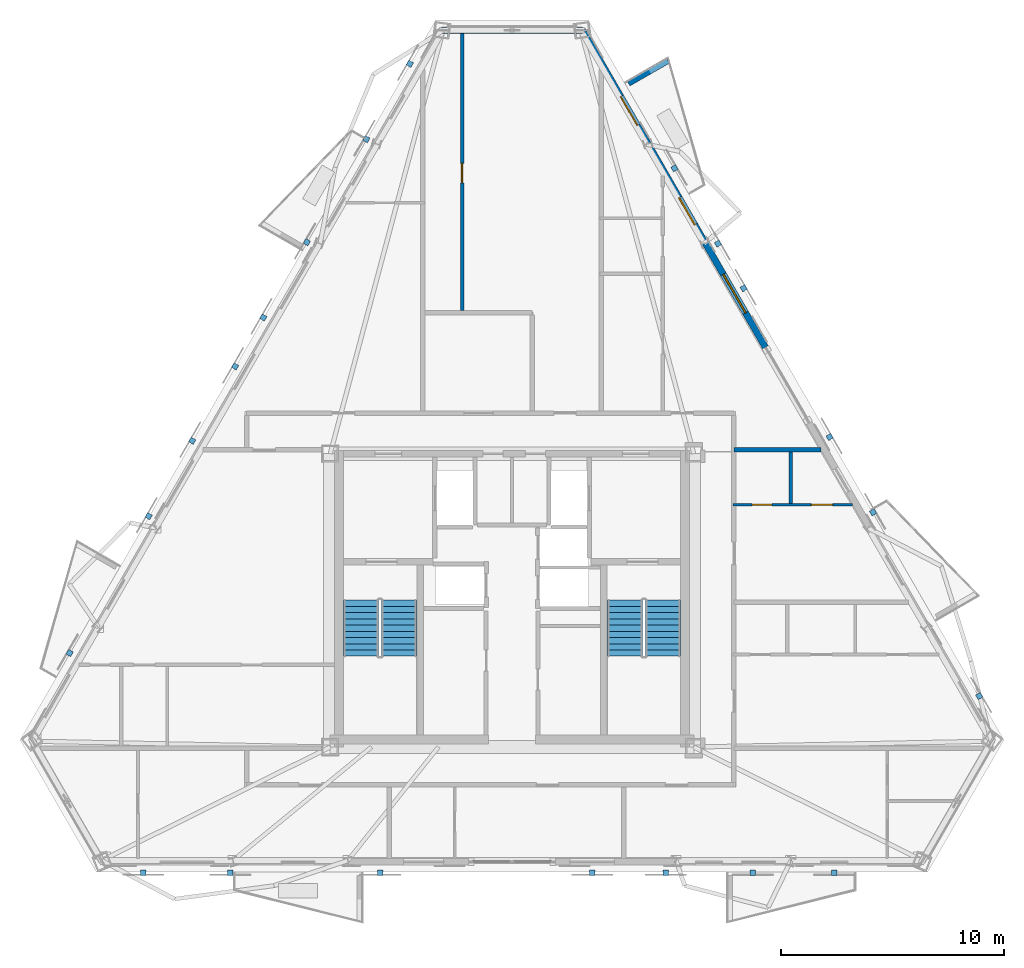
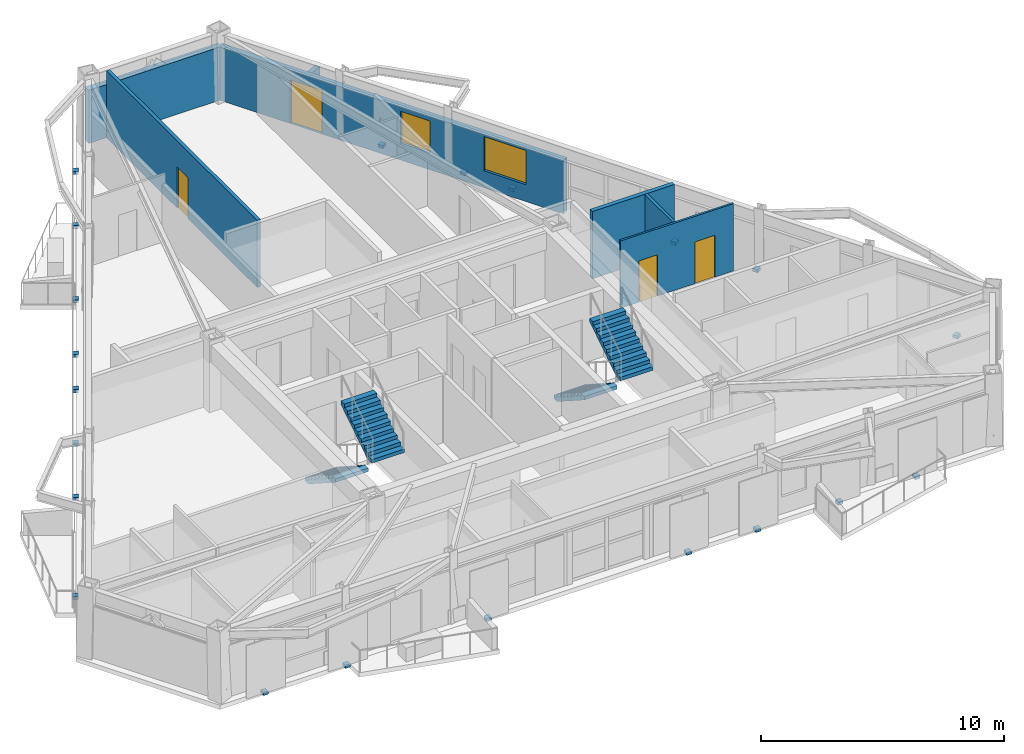
# One storey, part 9 of 12: 21 discrete accessories, 7 walls, 4 doors, 4 stair flights, 2 windows, 6 openings, 2 elements without a shape of their own.
"""IFC4 building model written with IfcOpenShell, lengths in metres."""

import ifcopenshell
import ifcopenshell.guid

model = None  # the IFC model being written
_history = None  # IfcOwnerHistory: only IFC2X3 demands one
_inside = {}  # id of a spatial element -> (the spatial element, [elements in it])
_under = {}  # id of a project, library or spatial element -> (it, [spatial elements below it])
_declared = {}  # id of a project -> (the project, [libraries it declares])
_typed = {}  # id of a type object -> (the type object, [elements of that type])
_made_of = {}  # id of a material, layer set ... -> (it, [elements and type objects made of it])


def new_model(schema):
    """Start an empty IFC model of exactly this schema.

    Asked for "IFC4X3", IfcOpenShell would pick the latest addendum, in which some entities
    have other attributes; the version numbers below select the first issue.
    IFC2X3 requires an IfcOwnerHistory on every rooted entity: one is made here for all.
    """
    global model, _history
    if schema == "IFC4X3":
        model = ifcopenshell.file(schema_version=(4, 3, 0, 0))
    else:
        model = ifcopenshell.file(schema=schema)
    _inside.clear()
    _under.clear()
    _declared.clear()
    _typed.clear()
    _made_of.clear()
    _history = None
    if model.schema == "IFC2X3":
        org = make("IfcOrganization", Name="unknown")
        user = make(
            "IfcPersonAndOrganization",
            ThePerson=make("IfcPerson", FamilyName="unknown"),
            TheOrganization=org,
        )
        app = make(
            "IfcApplication",
            ApplicationDeveloper=org,
            Version="unknown",
            ApplicationFullName="unknown",
            ApplicationIdentifier="unknown",
        )
        _history = make(
            "IfcOwnerHistory",
            OwningUser=user,
            OwningApplication=app,
            ChangeAction="ADDED",
            CreationDate=0,
        )
    return model


def make(cls, **values):
    """One entity of the class cls with the attributes given. An attribute that is None is left unset."""
    return model.create_entity(
        cls, **{name: value for name, value in values.items() if value is not None}
    )


def rooted(cls, **values):
    """An entity with a GlobalId (a new one), such as an element, a storey or a relation."""
    return make(cls, GlobalId=ifcopenshell.guid.new(), OwnerHistory=_history, **values)


def si_unit(unit_type, name, prefix=None):
    """IfcSIUnit, for example si_unit("LENGTHUNIT", "METRE", prefix="MILLI")."""
    return make("IfcSIUnit", UnitType=unit_type, Prefix=prefix, Name=name)


def assignment(units):
    """IfcUnitAssignment: the units of a project."""
    return None if units is None else make("IfcUnitAssignment", Units=units)


def point(xyz):
    """IfcCartesianPoint."""
    return None if xyz is None else make("IfcCartesianPoint", Coordinates=xyz)


def direction(xyz):
    """IfcDirection."""
    return None if xyz is None else make("IfcDirection", DirectionRatios=xyz)


def frame(location, z_axis=None, x_axis=None):
    """IfcAxis2Placement3D, a coordinate frame: its origin and axes. An axis left out is left unset."""
    return make(
        "IfcAxis2Placement3D",
        Location=point(location),
        Axis=direction(z_axis),
        RefDirection=direction(x_axis),
    )


def frame_2d(location, x_axis=None):
    """IfcAxis2Placement2D, a coordinate frame in the plane: its origin and x axis."""
    return make(
        "IfcAxis2Placement2D", Location=point(location), RefDirection=direction(x_axis)
    )


def origin():
    """The frame at (0, 0, 0) with its axes left unset."""
    return frame((0.0, 0.0, 0.0))


def origin_2d():
    """The frame at (0, 0) in the plane with its x axis left unset."""
    return frame_2d((0.0, 0.0))


def place(relative_to, where):
    """IfcLocalPlacement: puts the frame where relative to a parent placement (None: the world)."""
    return make(
        "IfcLocalPlacement", PlacementRelTo=relative_to, RelativePlacement=where
    )


def context(
    kind, dimensions, precision=None, world=None, true_north=None, identifier=None
):
    """IfcGeometricRepresentationContext, for example the 3D "Model" context."""
    return make(
        "IfcGeometricRepresentationContext",
        ContextIdentifier=identifier,
        ContextType=kind,
        CoordinateSpaceDimension=dimensions,
        Precision=precision,
        WorldCoordinateSystem=world,
        TrueNorth=true_north,
    )


def subcontext(parent, identifier, kind, view, scale=None):
    """IfcGeometricRepresentationSubContext, for example "Body" below "Model"."""
    return make(
        "IfcGeometricRepresentationSubContext",
        ContextIdentifier=identifier,
        ContextType=kind,
        ParentContext=parent,
        TargetScale=scale,
        TargetView=view,
    )


def project(units=None, contexts=None):
    """IfcProject with its units and contexts."""
    return rooted(
        "IfcProject",
        Name="project",
        RepresentationContexts=contexts,
        UnitsInContext=assignment(units),
    )


def spatial(cls, under=None, at=None, **own):
    """A site, building, storey or space (cls), placed at a placement, below another one or the project."""
    s = rooted(cls, ObjectPlacement=at, **own)
    if under is not None:
        _under.setdefault(under.id(), (under, []))[1].append(s)
    return s


def polyline(points):
    """IfcPolyline through the points."""
    return make("IfcPolyline", Points=[point(p) for p in points])


def profile(cls, at=None, kind="AREA", **sizes):
    """A parametric profile (cls). Its sizes go by their IFC names, for example OverallWidth=200.0."""
    return make(cls, ProfileType=kind, Position=at, **sizes)


def rectangle(**sizes):
    """IfcRectangleProfileDef."""
    return profile("IfcRectangleProfileDef", **sizes)


def outline(outer, holes=None, kind="AREA"):
    """IfcArbitraryClosedProfileDef: a profile drawn as a closed curve; with holes, ...WithVoids."""
    if holes is None:
        return make("IfcArbitraryClosedProfileDef", ProfileType=kind, OuterCurve=outer)
    return make(
        "IfcArbitraryProfileDefWithVoids",
        ProfileType=kind,
        OuterCurve=outer,
        InnerCurves=holes,
    )


def extrude(swept, where, along, depth):
    """IfcExtrudedAreaSolid: the profile swept, set in the frame where, extruded along a direction by depth."""
    return make(
        "IfcExtrudedAreaSolid",
        SweptArea=swept,
        Position=where,
        ExtrudedDirection=direction(along),
        Depth=depth,
    )


def shape(context_of_items, identifier, shape_type, items):
    """IfcShapeRepresentation: the items that make up one representation, for example the "Body"."""
    return make(
        "IfcShapeRepresentation",
        ContextOfItems=context_of_items,
        RepresentationIdentifier=identifier,
        RepresentationType=shape_type,
        Items=items,
    )


def material(Name=None, Category=None):
    """IfcMaterial."""
    return make("IfcMaterial", Name=Name, Category=Category)


def layer(
    of_material, thickness, ventilated=None, Name=None, Category=None, Priority=None
):
    """IfcMaterialLayer: one layer of a wall or slab, of a material (None: an air gap)."""
    return make(
        "IfcMaterialLayer",
        Material=of_material,
        LayerThickness=thickness,
        IsVentilated=ventilated,
        Name=Name,
        Category=Category,
        Priority=Priority,
    )


def layer_set(layers, Name=None):
    """IfcMaterialLayerSet."""
    return make("IfcMaterialLayerSet", MaterialLayers=layers, LayerSetName=Name)


def made_of(thing, what):
    """Note that an element or type object is made of a material, layer set ...; save() writes the relation."""
    if what is not None:
        _made_of.setdefault(what.id(), (what, []))[1].append(thing)
    return thing


def type_object(cls, material=None, **own):
    """A type object (cls), such as IfcWallType, which elements share."""
    return made_of(rooted(cls, **own), material)


def element(
    cls,
    number,
    at=None,
    inside=None,
    cuts=None,
    type_object=None,
    material=None,
    context=None,
    identifier="Body",
    shape_type=None,
    held_by="IfcProductDefinitionShape",
    body=None,
    shapes=None,
    **own,
):
    """One element of the class cls, such as IfcWall. Its Tag is "e" and its number.

    at: its placement. inside: the storey or other place that contains it. cuts: it is an
    opening in that element (IfcRelVoidsElement). A single representation is given by context,
    identifier, shape_type and body (its items); several are given by shapes. held_by: the class
    of the entity that holds the representations. save() writes the other relations.
    """
    e = rooted(cls, Tag="e%d" % number, ObjectPlacement=at, **own)
    if body is not None:
        shapes = [shape(context, identifier, shape_type, body)]
    if shapes is not None:
        e.Representation = make(held_by, Representations=shapes)
    if inside is not None:
        _inside.setdefault(inside.id(), (inside, []))[1].append(e)
    if cuts is not None:
        rooted(
            "IfcRelVoidsElement", RelatingBuildingElement=cuts, RelatedOpeningElement=e
        )
    if type_object is not None:
        _typed.setdefault(type_object.id(), (type_object, []))[1].append(e)
    return made_of(e, material)


def fill(opening, filler):
    """IfcRelFillsElement: the door or window that sits in an opening."""
    return rooted(
        "IfcRelFillsElement",
        RelatingOpeningElement=opening,
        RelatedBuildingElement=filler,
    )


def aggregate(whole, parts):
    """IfcRelAggregates: a whole, such as a stair, and the parts it consists of."""
    return rooted("IfcRelAggregates", RelatingObject=whole, RelatedObjects=parts)


def save(model, path):
    """Write the relations noted so far, then the file.

    IfcRelAggregates (storeys below a building ...), IfcRelContainedInSpatialStructure (elements
    in a storey), IfcRelDefinesByType, IfcRelAssociatesMaterial and IfcRelDeclares: one each for
    every whole, place, type object, material and project.
    """
    for whole, parts in _under.values():
        aggregate(whole, parts)
    for where, things in _inside.values():
        rooted(
            "IfcRelContainedInSpatialStructure",
            RelatedElements=things,
            RelatingStructure=where,
        )
    for kind, things in _typed.values():
        rooted("IfcRelDefinesByType", RelatedObjects=things, RelatingType=kind)
    for what, things in _made_of.values():
        rooted("IfcRelAssociatesMaterial", RelatedObjects=things, RelatingMaterial=what)
    for by, libraries in _declared.values():
        rooted("IfcRelDeclares", RelatingContext=by, RelatedDefinitions=libraries)
    model.write(path)


model = new_model("IFC4")

# Units and contexts
model_context = context("Model", 3, precision=1e-05, world=origin(), true_north=direction((0.0, 1.0)))
body_context = subcontext(model_context, "Body", "Model", "MODEL_VIEW")
ifc_project = project(units=[si_unit("LENGTHUNIT", "METRE"), si_unit("AREAUNIT", "SQUARE_METRE"), si_unit("VOLUMEUNIT", "CUBIC_METRE"), si_unit("PLANEANGLEUNIT", "RADIAN"), si_unit("MASSUNIT", "GRAM", prefix="KILO")], contexts=[model_context])

# Site, building, storey
site_placement = place(None, origin())
site = spatial("IfcSite", under=ifc_project, at=site_placement, CompositionType="ELEMENT")
building_placement = place(site_placement, origin())
building = spatial("IfcBuilding", under=site, at=building_placement, Name="Oramaril Tower", CompositionType="ELEMENT")
storey_placement = place(building_placement, frame((0.0, 0.0, 227.10009765625)))
storey = spatial("IfcBuildingStorey", under=building, at=storey_placement, Name="L60", CompositionType="ELEMENT", Elevation=227.10009765625)

# Wall, openings, door, windows
ifc_material_1 = material(Name="Warm Cream Limestone", Category="masonry")
ifc_layer_1 = layer(ifc_material_1, 0.2900390625)
ifc_layer_set_1 = layer_set([ifc_layer_1], Name="WT-EXT29")
wall_type_1 = type_object("IfcWallType", Name="WT-EXT29", PredefinedType="SOLIDWALL", material=ifc_layer_set_1)
wall_1_placement = place(storey_placement, frame((48.866455078125, 28.9140625, 0.0), z_axis=(0.0, 0.0, 1.0), x_axis=(-0.499999154439, 0.866025891969, 0.0)))
wall_1 = element("IfcWall", 1, at=wall_1_placement, inside=storey, type_object=wall_type_1, Name="L60 Tower Limestone Facade Wall 4R", PredefinedType="SOLIDWALL", context=body_context, shape_type="SweptSolid", body=[
    extrude(rectangle(XDim=16.4208984375, YDim=0.2900390625, at=frame_2d((8.21044921875, 0.0))), origin(), (0.0, 0.0, 1.0), 2.677001953125),
])
opening_1_placement = place(wall_1_placement, frame((11.491455078125, 0.0, 0.0)))
opening_1 = element("IfcOpeningElement", 2, at=opening_1_placement, cuts=wall_1, Name="Opening D-L60-BAL-NE2", PredefinedType="OPENING", context=body_context, shape_type="SweptSolid", body=[
    extrude(rectangle(XDim=1.5, YDim=2.199951171875, at=frame_2d((0.75, 1.10009765625))), frame((0.0, 0.14501953125, 0.0), z_axis=(0.0, -1.0, 0.0), x_axis=(1.0, 0.0, 0.0)), (0.0, 0.0, 1.0), 0.2900390625),
])
opening_2_placement = place(wall_1_placement, frame((1.789306640625, 0.0, 0.85009765625)))
opening_2 = element("IfcOpeningElement", 3, at=opening_2_placement, cuts=wall_1, Name="Opening WN-05", PredefinedType="OPENING", context=body_context, shape_type="SweptSolid", body=[
    extrude(rectangle(XDim=2.0, YDim=1.717041015625, at=frame_2d((1.0, 0.8583984375))), frame((0.0, 0.14501953125, 0.0), z_axis=(0.0, -1.0, 0.0), x_axis=(1.0, 0.0, 0.0)), (0.0, 0.0, 1.0), 0.2900390625),
])
opening_3_placement = place(wall_1_placement, frame((6.34814453125, 0.0, 0.85009765625)))
opening_3 = element("IfcOpeningElement", 4, at=opening_3_placement, cuts=wall_1, Name="Opening WN-08", PredefinedType="OPENING", context=body_context, shape_type="SweptSolid", body=[
    extrude(rectangle(XDim=1.39990234375, YDim=1.60009765625, at=frame_2d((0.699951171875, 0.800048828125))), frame((0.0, 0.14501953125, 0.0), z_axis=(0.0, -1.0, 0.0), x_axis=(1.0, 0.0, 0.0)), (0.0, 0.0, 1.0), 0.2900390625),
])
ifc_material_2 = material(Name="Anodised Aluminium 6063-T6", Category="aluminium")
door_type_1 = type_object("IfcDoorType", Name="DT-BAL", OperationType="NOTDEFINED", PredefinedType="DOOR", material=ifc_material_2)
door_1_placement = place(opening_1_placement, origin())
door_1 = element("IfcDoor", 5, at=door_1_placement, inside=storey, type_object=door_type_1, Name="L60 Balcony Glazed Door L60-BAL-NE2", OperationType="SINGLE_SWING_RIGHT", OverallHeight=2.199951171875, OverallWidth=1.5, PredefinedType="DOOR", context=body_context, shape_type="SweptSolid", body=[
    extrude(rectangle(XDim=1.5, YDim=2.199951171875, at=frame_2d((0.75, 1.10009765625))), frame((0.0, 0.02490234375, 0.0), z_axis=(0.0, -1.0, 0.0), x_axis=(1.0, 0.0, 0.0)), (0.0, 0.0, 1.0), 0.050048828125),
])
fill(opening_1, door_1)
ifc_material_3 = material(Name="Coastal Low-E Insulated Glass", Category="glass")
window_type_1 = type_object("IfcWindowType", Name="WNT-05", PartitioningType="SINGLE_PANEL", PredefinedType="WINDOW", material=ifc_material_3)
window_1_placement = place(opening_2_placement, origin())
window_1 = element("IfcWindow", 6, at=window_1_placement, inside=storey, type_object=window_type_1, Name="L60 Chicago Bay Window WN-05", OverallHeight=1.717041015625, OverallWidth=2.0, PartitioningType="SINGLE_PANEL", PredefinedType="WINDOW", context=body_context, shape_type="SweptSolid", body=[
    extrude(rectangle(XDim=2.0, YDim=1.717041015625, at=frame_2d((1.0, 0.8583984375))), frame((0.0, 0.030029296875, 0.0), z_axis=(0.0, -1.0, 0.0), x_axis=(1.0, 0.0, 0.0)), (0.0, 0.0, 1.0), 0.06005859375),
])
fill(opening_2, window_1)
ifc_material_4 = material(Name="Coastal Low-E Insulated Glass", Category="glass")
window_type_2 = type_object("IfcWindowType", Name="WNT-08", PartitioningType="SINGLE_PANEL", PredefinedType="WINDOW", material=ifc_material_4)
window_2_placement = place(opening_3_placement, origin())
window_2 = element("IfcWindow", 7, at=window_2_placement, inside=storey, type_object=window_type_2, Name="L60 Chicago Bay Window WN-08", OverallHeight=1.60009765625, OverallWidth=1.39990234375, PartitioningType="SINGLE_PANEL", PredefinedType="WINDOW", context=body_context, shape_type="SweptSolid", body=[
    extrude(rectangle(XDim=1.39990234375, YDim=1.60009765625, at=frame_2d((0.699951171875, 0.800048828125))), frame((0.0, 0.030029296875, 0.0), z_axis=(0.0, -1.0, 0.0), x_axis=(1.0, 0.0, 0.0)), (0.0, 0.0, 1.0), 0.06005859375),
])
fill(opening_3, window_2)

# Walls
wall_2_placement = place(storey_placement, frame((40.656005859375, 43.135009765625, 0.0), z_axis=(0.0, 0.0, 1.0), x_axis=(-1.0, 0.0, 0.0)))
element("IfcWall", 8, at=wall_2_placement, inside=storey, type_object=wall_type_1, Name="L60 Tower Limestone Facade Wall 5M", PredefinedType="SOLIDWALL", context=body_context, shape_type="SweptSolid", body=[
    extrude(rectangle(XDim=6.31201171875, YDim=0.2900390625, at=frame_2d((3.156005859375, 0.0))), origin(), (0.0, 0.0, 1.0), 2.677001953125),
])
ifc_material_5 = material(Name="Concrete C40/50", Category="concrete")
ifc_layer_2 = layer(ifc_material_5, 0.22998046875)
ifc_layer_set_2 = layer_set([ifc_layer_2], Name="WT-PRP23")
wall_type_2 = type_object("IfcWallType", Name="WT-PRP23", PredefinedType="PARAPET", material=ifc_layer_set_2)
wall_3_placement = place(storey_placement, frame((42.731201171875, 40.73681640625, 0.0), z_axis=(0.0, 0.0, 1.0), x_axis=(0.866012356593, 0.500022597718, 0.0)))
element("IfcWall", 9, at=wall_3_placement, inside=storey, type_object=wall_type_2, Name="L60 Trapezoidal Balcony Frame Cheek L60-BAL-NE2-R", PredefinedType="PARAPET", context=body_context, shape_type="SweptSolid", body=[
    extrude(outline(polyline([(0.0, 0.0), (2.0419921875, 0.0), (2.0419921875, 1.099853515625), (0.0, 1.31982421875), (0.0, 0.0)])), frame((0.0, 0.114990234375, 0.0), z_axis=(0.0, -1.0, 0.0), x_axis=(1.0, 0.0, 0.0)), (0.0, 0.0, 1.0), 0.22998046875),
])

# Wall, openings, doors
ifc_material_6 = material(Name="Acoustic Gypsum Board Partition")
ifc_layer_3 = layer(ifc_material_6, 0.10009765625)
ifc_layer_set_3 = layer_set([ifc_layer_3], Name="WT-PT10")
wall_type_3 = type_object("IfcWallType", Name="WT-PT10", PredefinedType="PARTITIONING", material=ifc_layer_set_3)
wall_4_placement = place(storey_placement, frame((47.39990234375, 21.860107421875, 0.0), z_axis=(0.0, 0.0, 1.0), x_axis=(1.0, 0.0, 0.0)))
wall_4 = element("IfcWall", 10, at=wall_4_placement, inside=storey, type_object=wall_type_3, Name="L60 Interior Partition PT-10", PredefinedType="PARTITIONING", context=body_context, shape_type="SweptSolid", body=[
    extrude(rectangle(XDim=5.3671875, YDim=0.10009765625, at=frame_2d((2.68359375, 0.0))), origin(), (0.0, 0.0, 1.0), 3.3798828125),
])
opening_4_placement = place(wall_4_placement, frame((0.86962890625, 0.0, 0.0)))
opening_4 = element("IfcOpeningElement", 11, at=opening_4_placement, cuts=wall_4, Name="Opening D-L60-10", PredefinedType="OPENING", context=body_context, shape_type="SweptSolid", body=[
    extrude(rectangle(XDim=0.8798828125, YDim=2.080078125, at=frame_2d((0.43994140625, 1.0400390625))), frame((0.0, 0.050048828125, 0.0), z_axis=(0.0, -1.0, 0.0), x_axis=(1.0, 0.0, 0.0)), (0.0, 0.0, 1.0), 0.10009765625),
])
opening_5_placement = place(wall_4_placement, frame((3.52099609375, 0.0, 0.0)))
opening_5 = element("IfcOpeningElement", 12, at=opening_5_placement, cuts=wall_4, Name="Opening D-L60-11", PredefinedType="OPENING", context=body_context, shape_type="SweptSolid", body=[
    extrude(rectangle(XDim=0.949951171875, YDim=2.10009765625, at=frame_2d((0.47509765625, 1.050048828125))), frame((0.0, 0.050048828125, 0.0), z_axis=(0.0, -1.0, 0.0), x_axis=(1.0, 0.0, 0.0)), (0.0, 0.0, 1.0), 0.10009765625),
])
ifc_material_7 = material(Name="FSC Brazilian Freijo Hardwood", Category="wood")
door_type_2 = type_object("IfcDoorType", Name="DT-BATH", OperationType="NOTDEFINED", PredefinedType="DOOR", material=ifc_material_7)
door_2_placement = place(opening_4_placement, origin())
door_2 = element("IfcDoor", 13, at=door_2_placement, inside=storey, type_object=door_type_2, Name="L60 Flat L60-U6 Bathroom Door D-L60-10", OperationType="SINGLE_SWING_RIGHT", OverallHeight=2.080078125, OverallWidth=0.8798828125, PredefinedType="DOOR", context=body_context, shape_type="SweptSolid", body=[
    extrude(rectangle(XDim=0.8798828125, YDim=2.080078125, at=frame_2d((0.43994140625, 1.0400390625))), frame((0.0, 0.02490234375, 0.0), z_axis=(0.0, -1.0, 0.0), x_axis=(1.0, 0.0, 0.0)), (0.0, 0.0, 1.0), 0.050048828125),
])
fill(opening_4, door_2)
ifc_material_8 = material(Name="FSC Brazilian Freijo Hardwood", Category="wood")
door_type_3 = type_object("IfcDoorType", Name="DT-STDY", OperationType="NOTDEFINED", PredefinedType="DOOR", material=ifc_material_8)
door_3_placement = place(opening_5_placement, origin())
door_3 = element("IfcDoor", 14, at=door_3_placement, inside=storey, type_object=door_type_3, Name="L60 Flat L60-U6 Kitchen Door D-L60-11", OperationType="SINGLE_SWING_LEFT", OverallHeight=2.10009765625, OverallWidth=0.949951171875, PredefinedType="DOOR", context=body_context, shape_type="SweptSolid", body=[
    extrude(rectangle(XDim=0.949951171875, YDim=2.10009765625, at=frame_2d((0.47509765625, 1.050048828125))), frame((0.0, 0.02490234375, 0.0), z_axis=(0.0, -1.0, 0.0), x_axis=(1.0, 0.0, 0.0)), (0.0, 0.0, 1.0), 0.050048828125),
])
fill(opening_5, door_3)

# Wall
ifc_material_9 = material(Name="Acoustic Gypsum Board Partition")
ifc_layer_4 = layer(ifc_material_9, 0.139892578125)
ifc_layer_set_4 = layer_set([ifc_layer_4], Name="WT-PT14")
wall_type_4 = type_object("IfcWallType", Name="WT-PT14", PredefinedType="PARTITIONING", material=ifc_layer_set_4)
wall_5_placement = place(storey_placement, frame((50.0, 21.9140625, 0.0), z_axis=(0.0, 0.0, 1.0), x_axis=(0.0, 1.0, 0.0)))
element("IfcWall", 15, at=wall_5_placement, inside=storey, type_object=wall_type_4, Name="L60 Interior Partition PT-14", PredefinedType="PARTITIONING", context=body_context, shape_type="SweptSolid", body=[
    extrude(rectangle(XDim=2.302001953125, YDim=0.139892578125, at=frame_2d((1.15087890625, 0.0))), origin(), (0.0, 0.0, 1.0), 3.3798828125),
])

# Wall, opening, door
ifc_material_10 = material(Name="Acoustic Gypsum Board Partition")
ifc_layer_5 = layer(ifc_material_10, 0.159912109375)
ifc_layer_set_5 = layer_set([ifc_layer_5], Name="WT-PT16")
wall_type_5 = type_object("IfcWallType", Name="WT-PT16", PredefinedType="PARTITIONING", material=ifc_layer_set_5)
wall_6_placement = place(storey_placement, frame((35.260009765625, 30.573974609375, 0.0), z_axis=(0.0, 0.0, 1.0), x_axis=(0.0, 1.0, 0.0)))
wall_6 = element("IfcWall", 16, at=wall_6_placement, inside=storey, type_object=wall_type_5, Name="L60 Interior Partition PT-16", PredefinedType="PARTITIONING", context=body_context, shape_type="SweptSolid", body=[
    extrude(rectangle(XDim=12.412109375, YDim=0.159912109375, at=frame_2d((6.2060546875, 0.0))), origin(), (0.0, 0.0, 1.0), 3.3798828125),
])
opening_6_placement = place(wall_6_placement, frame((5.713623046875, 0.0, 0.0)))
opening_6 = element("IfcOpeningElement", 17, at=opening_6_placement, cuts=wall_6, Name="Opening D-L60-20", PredefinedType="OPENING", context=body_context, shape_type="SweptSolid", body=[
    extrude(rectangle(XDim=0.8798828125, YDim=2.080078125, at=frame_2d((0.43994140625, 1.0400390625))), frame((0.0, 0.080078125, 0.0), z_axis=(0.0, -1.0, 0.0), x_axis=(1.0, 0.0, 0.0)), (0.0, 0.0, 1.0), 0.159912109375),
])
door_4_placement = place(opening_6_placement, origin())
door_4 = element("IfcDoor", 18, at=door_4_placement, inside=storey, type_object=door_type_2, Name="L60 Flat L60-U8 Bathroom Door D-L60-20", OperationType="SINGLE_SWING_RIGHT", OverallHeight=2.080078125, OverallWidth=0.8798828125, PredefinedType="DOOR", context=body_context, shape_type="SweptSolid", body=[
    extrude(rectangle(XDim=0.8798828125, YDim=2.080078125, at=frame_2d((0.43994140625, 1.0400390625))), frame((0.0, 0.02490234375, 0.0), z_axis=(0.0, -1.0, 0.0), x_axis=(1.0, 0.0, 0.0)), (0.0, 0.0, 1.0), 0.050048828125),
])
fill(opening_6, door_4)

# Wall
ifc_material_11 = material(Name="Autoclaved Cellular Concrete Block", Category="concrete")
ifc_layer_6 = layer(ifc_material_11, 0.199951171875)
ifc_layer_set_6 = layer_set([ifc_layer_6], Name="WT-PT20")
wall_type_6 = type_object("IfcWallType", Name="WT-PT20", PredefinedType="PARTITIONING", material=ifc_layer_set_6)
wall_7_placement = place(storey_placement, frame((47.449951171875, 24.320068359375, 0.0), z_axis=(0.0, 0.0, 1.0), x_axis=(1.0, 0.0, 0.0)))
element("IfcWall", 19, at=wall_7_placement, inside=storey, type_object=wall_type_6, Name="L60 Interior Partition PT-20", PredefinedType="PARTITIONING", context=body_context, shape_type="SweptSolid", body=[
    extrude(rectangle(XDim=3.896728515625, YDim=0.199951171875, at=frame_2d((1.9482421875, 0.0))), origin(), (0.0, 0.0, 1.0), 3.3798828125),
])

# Stair, stair flights
ifc_material_12 = material(Name="Concrete C50/60", Category="concrete")
stair_type = type_object("IfcStairType", Name="STT-DG-3600", PredefinedType="HALF_TURN_STAIR", material=ifc_material_12)
stair_1_placement = place(storey_placement, origin())
stair_1 = element("IfcStair", 20, at=stair_1_placement, inside=storey, type_object=stair_type, Name="L60 Protected PFP Exit Stair ST-1", PredefinedType="HALF_TURN_STAIR")
ifc_material_13 = material(Name="Concrete C50/60", Category="concrete")
stair_flight_type = type_object("IfcStairFlightType", Name="SFT-DG-3600", PredefinedType="STRAIGHT", material=ifc_material_13)
stair_flight_1_placement = place(storey_placement, frame((30.72998046875, 17.590087890625, 0.0), z_axis=(0.0, 0.0, 1.0), x_axis=(0.0, -1.0, 0.0)))
stair_flight_1 = element("IfcStairFlight", 21, at=stair_flight_1_placement, type_object=stair_flight_type, Name="ST-1 flight 1", NumberOfRisers=10, NumberOfTreads=9, PredefinedType="STRAIGHT", RiserHeight=0.18, TreadLength=0.28, context=body_context, shape_type="SweptSolid", body=[
    extrude(outline(polyline([(0.0, 0.0), (0.0, 0.179931640625), (0.280029296875, 0.179931640625), (0.280029296875, 0.360107421875), (0.56005859375, 0.360107421875), (0.56005859375, 0.5400390625), (0.840087890625, 0.5400390625), (0.840087890625, 0.719970703125), (1.1201171875, 0.719970703125), (1.1201171875, 0.89990234375), (1.39990234375, 0.89990234375), (1.39990234375, 1.080078125), (1.679931640625, 1.080078125), (1.679931640625, 1.260009765625), (1.9599609375, 1.260009765625), (1.9599609375, 1.43994140625), (2.239990234375, 1.43994140625), (2.239990234375, 1.6201171875), (2.52001953125, 1.6201171875), (2.52001953125, 1.800048828125), (2.52001953125, 1.44189453125), (0.277099609375, 0.0), (0.0, 0.0)])), frame((0.0, 0.780029296875, 0.0), z_axis=(0.0, -1.0, 0.0), x_axis=(1.0, 0.0, 0.0)), (0.0, 0.0, 1.0), 1.56005859375),
])
stair_flight_2_placement = place(storey_placement, frame((32.43994140625, 15.070068359375, 1.7998046875), z_axis=(0.0, 0.0, 1.0), x_axis=(0.0, 1.0, 0.0)))
stair_flight_2 = element("IfcStairFlight", 22, at=stair_flight_2_placement, type_object=stair_flight_type, Name="ST-1 flight 2", NumberOfRisers=10, NumberOfTreads=9, PredefinedType="STRAIGHT", RiserHeight=0.18, TreadLength=0.28, context=body_context, shape_type="SweptSolid", body=[
    extrude(outline(polyline([(0.0, 0.0), (0.0, 0.179931640625), (0.280029296875, 0.179931640625), (0.280029296875, 0.360107421875), (0.56005859375, 0.360107421875), (0.56005859375, 0.5400390625), (0.840087890625, 0.5400390625), (0.840087890625, 0.719970703125), (1.1201171875, 0.719970703125), (1.1201171875, 0.89990234375), (1.39990234375, 0.89990234375), (1.39990234375, 1.080078125), (1.679931640625, 1.080078125), (1.679931640625, 1.260009765625), (1.9599609375, 1.260009765625), (1.9599609375, 1.43994140625), (2.239990234375, 1.43994140625), (2.239990234375, 1.6201171875), (2.52001953125, 1.6201171875), (2.52001953125, 1.800048828125), (2.52001953125, 1.44189453125), (0.277099609375, 0.0), (0.0, 0.0)])), frame((0.0, 0.780029296875, 0.0), z_axis=(0.0, -1.0, 0.0), x_axis=(1.0, 0.0, 0.0)), (0.0, 0.0, 1.0), 1.56005859375),
])
aggregate(stair_1, [stair_flight_1, stair_flight_2])

stair_2_placement = place(storey_placement, origin())
stair_2 = element("IfcStair", 23, at=stair_2_placement, inside=storey, type_object=stair_type, Name="L60 Protected PFP Exit Stair ST-2", PredefinedType="HALF_TURN_STAIR")
stair_flight_3_placement = place(storey_placement, frame((42.56005859375, 17.590087890625, 0.0), z_axis=(0.0, 0.0, 1.0), x_axis=(0.0, -1.0, 0.0)))
stair_flight_3 = element("IfcStairFlight", 24, at=stair_flight_3_placement, type_object=stair_flight_type, Name="ST-2 flight 1", NumberOfRisers=10, NumberOfTreads=9, PredefinedType="STRAIGHT", RiserHeight=0.18, TreadLength=0.28, context=body_context, shape_type="SweptSolid", body=[
    extrude(outline(polyline([(0.0, 0.0), (0.0, 0.179931640625), (0.280029296875, 0.179931640625), (0.280029296875, 0.360107421875), (0.56005859375, 0.360107421875), (0.56005859375, 0.5400390625), (0.840087890625, 0.5400390625), (0.840087890625, 0.719970703125), (1.1201171875, 0.719970703125), (1.1201171875, 0.89990234375), (1.39990234375, 0.89990234375), (1.39990234375, 1.080078125), (1.679931640625, 1.080078125), (1.679931640625, 1.260009765625), (1.9599609375, 1.260009765625), (1.9599609375, 1.43994140625), (2.239990234375, 1.43994140625), (2.239990234375, 1.6201171875), (2.52001953125, 1.6201171875), (2.52001953125, 1.800048828125), (2.52001953125, 1.44189453125), (0.277099609375, 0.0), (0.0, 0.0)])), frame((0.0, 0.780029296875, 0.0), z_axis=(0.0, -1.0, 0.0), x_axis=(1.0, 0.0, 0.0)), (0.0, 0.0, 1.0), 1.56005859375),
])
stair_flight_4_placement = place(storey_placement, frame((44.27001953125, 15.070068359375, 1.7998046875), z_axis=(0.0, 0.0, 1.0), x_axis=(0.0, 1.0, 0.0)))
stair_flight_4 = element("IfcStairFlight", 25, at=stair_flight_4_placement, type_object=stair_flight_type, Name="ST-2 flight 2", NumberOfRisers=10, NumberOfTreads=9, PredefinedType="STRAIGHT", RiserHeight=0.18, TreadLength=0.28, context=body_context, shape_type="SweptSolid", body=[
    extrude(outline(polyline([(0.0, 0.0), (0.0, 0.179931640625), (0.280029296875, 0.179931640625), (0.280029296875, 0.360107421875), (0.56005859375, 0.360107421875), (0.56005859375, 0.5400390625), (0.840087890625, 0.5400390625), (0.840087890625, 0.719970703125), (1.1201171875, 0.719970703125), (1.1201171875, 0.89990234375), (1.39990234375, 0.89990234375), (1.39990234375, 1.080078125), (1.679931640625, 1.080078125), (1.679931640625, 1.260009765625), (1.9599609375, 1.260009765625), (1.9599609375, 1.43994140625), (2.239990234375, 1.43994140625), (2.239990234375, 1.6201171875), (2.52001953125, 1.6201171875), (2.52001953125, 1.800048828125), (2.52001953125, 1.44189453125), (0.277099609375, 0.0), (0.0, 0.0)])), frame((0.0, 0.780029296875, 0.0), z_axis=(0.0, -1.0, 0.0), x_axis=(1.0, 0.0, 0.0)), (0.0, 0.0, 1.0), 1.56005859375),
])
aggregate(stair_2, [stair_flight_3, stair_flight_4])

# Discrete accessories
for number, where, z_axis, x_axis, name in (
    (26, (20.972412109375, 5.369384765625, -0.14013671875), (0.0, 0.0, 1.0), (1.0, 0.0, 0.0), "L60 Solar Screen Slab Bracket"),
    (27, (24.872314453125, 5.369384765625, -0.14013671875), (0.0, 0.0, 1.0), (1.0, 0.0, 0.0), "L60 Solar Screen Slab Bracket"),
    (28, (31.5869140625, 5.369384765625, -0.14013671875), (0.0, 0.0, 1.0), (1.0, 0.0, 0.0), "L60 Solar Screen Slab Bracket"),
    (29, (41.09521484375, 5.369384765625, -0.14013671875), (0.0, 0.0, 1.0), (1.0, 0.0, 0.0), "L60 Solar Screen Slab Bracket"),
    (30, (44.38720703125, 5.369384765625, -0.14013671875), (0.0, 0.0, 1.0), (1.0, 0.0, 0.0), "L60 Solar Screen Slab Bracket"),
    (31, (48.287109375, 5.369384765625, -0.14013671875), (0.0, 0.0, 1.0), (1.0, 0.0, 0.0), "L60 Solar Screen Slab Bracket"),
    (32, (51.95263671875, 5.369384765625, -0.14013671875), (0.0, 0.0, 1.0), (1.0, 0.0, 0.0), "L60 Solar Screen Slab Bracket"),
    (33, (58.4453125, 13.283203125, -0.14013671875), (0.0, 0.0, 1.0), (-0.5, 0.866025403784, 0.0), "L60 Solar Screen Slab Bracket"),
    (34, (53.688720703125, 21.521728515625, -0.14013671875), (0.0, 0.0, 1.0), (-0.5, 0.866025403784, 0.0), "L60 Solar Screen Slab Bracket"),
    (35, (51.738525390625, 24.8994140625, -0.14013671875), (0.0, 0.0, 1.0), (-0.5, 0.866025403784, 0.0), "L60 Solar Screen Slab Bracket"),
    (36, (47.887451171875, 31.569580078125, -0.14013671875), (0.0, 0.0, 1.0), (-0.499995465495, 0.866028021766, 0.0), "L60 Solar Screen Slab Bracket"),
    (37, (46.73291015625, 33.569091796875, -0.14013671875), (0.0, 0.0, 1.0), (-0.499995465495, 0.866028021766, 0.0), "L60 Solar Screen Slab Bracket"),
    (38, (44.783203125, 36.94677734375, -0.14013671875), (0.0, 0.0, 1.0), (-0.499995465495, 0.866028021766, 0.0), "L60 Solar Screen Slab Bracket"),
    (39, (23.162353515625, 24.727783203125, -0.14013671875), (0.0, 0.0, 1.0), (-0.4999984885, -0.866026276448, 0.0), "L60 Solar Screen Slab Bracket"),
    (40, (21.21240234375, 21.350341796875, -0.14013671875), (0.0, 0.0, 1.0), (-0.4999984885, -0.866026276448, 0.0), "L60 Solar Screen Slab Bracket"),
    (41, (17.6689453125, 15.212890625, -0.14013671875), (0.0, 0.0, 1.0), (-0.4999984885, -0.866026276448, 0.0), "L60 Solar Screen Slab Bracket"),
    (42, (28.3037109375, 33.633056640625, -0.14013671875), (0.0, 0.0, 1.0), (-0.4999984885, -0.866026276448, 0.0), "L60 Solar Screen Slab Bracket"),
    (43, (26.353759765625, 30.255615234375, -0.14013671875), (0.0, 0.0, 1.0), (-0.4999984885, -0.866026276448, 0.0), "L60 Solar Screen Slab Bracket"),
    (44, (25.0869140625, 28.061279296875, -0.14013671875), (0.0, 0.0, 1.0), (-0.4999984885, -0.866026276448, 0.0), "L60 Solar Screen Slab Bracket"),
    (45, (32.920654296875, 41.6298828125, -0.14013671875), (0.0, 0.0, 1.0), (-0.4999984885, -0.866026276448, 0.0), "L60 Solar Screen Slab Bracket"),
    (46, (30.970703125, 38.252197265625, -0.14013671875), (0.0, 0.0, 1.0), (-0.4999984885, -0.866026276448, 0.0), "L60 Solar Screen Slab Bracket"),
):
    element("IfcDiscreteAccessory", number, at=place(storey_placement, frame(where, z_axis=z_axis, x_axis=x_axis)), inside=storey, Name=name, PredefinedType="BRACKET", context=body_context, shape_type="SweptSolid", body=[
        extrude(rectangle(XDim=0.239990234375, YDim=0.239990234375, at=origin_2d()), origin(), (0.0, 0.0, 1.0), 0.159912109375),
    ])

save(model, "model.ifc")
